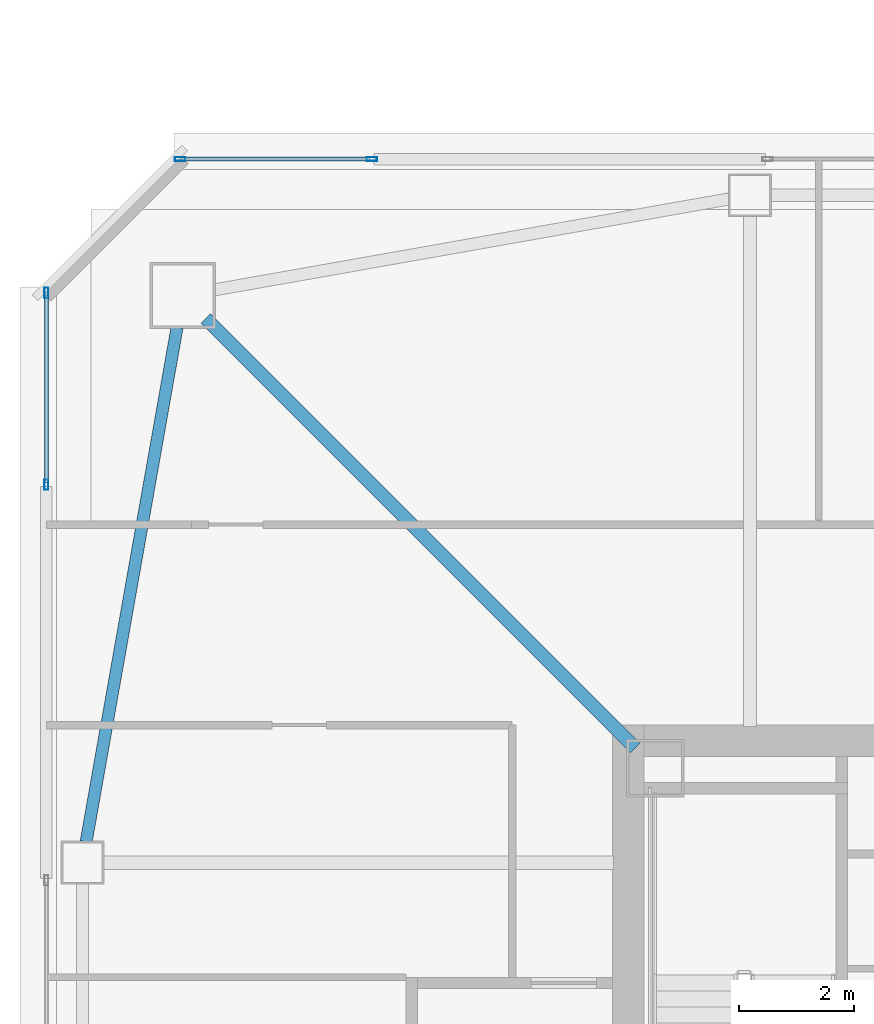
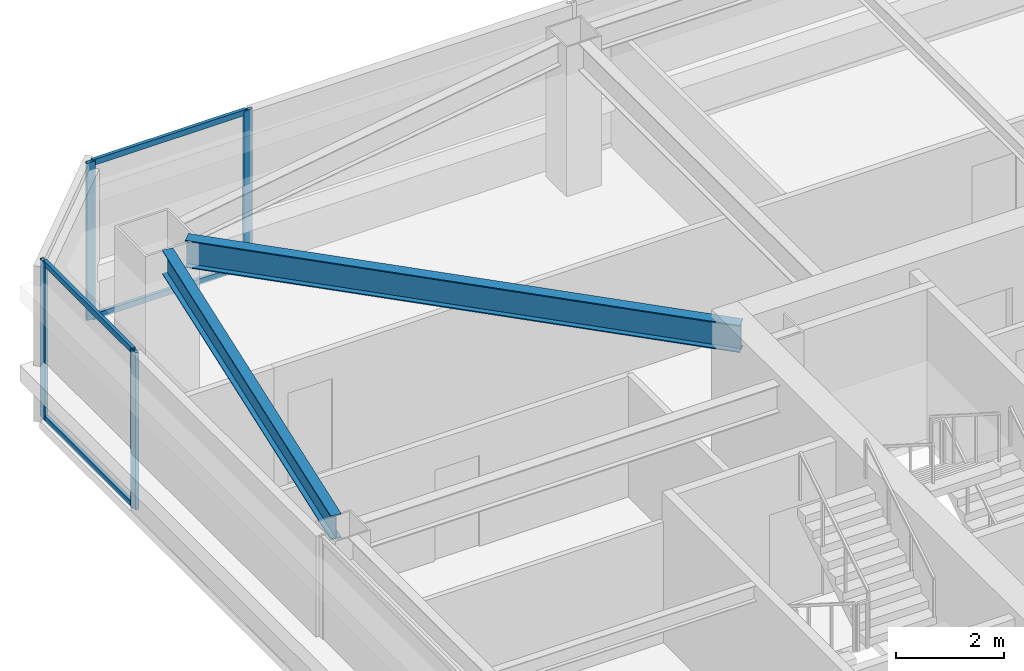
# One storey, part 11 of 41: 8 members, 2 beams, 2 elements without a shape of their own.
"""IFC4 building model written with IfcOpenShell, lengths in metres."""

from ifc_helpers import new_model, si_unit, direction, frame, origin, origin_2d, place, context, subcontext, project, spatial, hollow_rectangle, i_section, extrude, material, material_profile, profile_set, type_object, element, aggregate, save


model = new_model("IFC4")

# Units and contexts
model_context = context("Model", 3, precision=1e-05, world=origin(), true_north=direction((0.0, 1.0)))
body_context = subcontext(model_context, "Body", "Model", "MODEL_VIEW")
ifc_project = project(units=[si_unit("LENGTHUNIT", "METRE"), si_unit("AREAUNIT", "SQUARE_METRE"), si_unit("VOLUMEUNIT", "CUBIC_METRE"), si_unit("PLANEANGLEUNIT", "RADIAN"), si_unit("MASSUNIT", "GRAM", prefix="KILO")], contexts=[model_context])

# Site, building, storey
site_placement = place(None, origin())
site = spatial("IfcSite", under=ifc_project, at=site_placement, CompositionType="ELEMENT")
building_placement = place(site_placement, origin())
building = spatial("IfcBuilding", under=site, at=building_placement, Name="Tashvorn Skyway Center", CompositionType="ELEMENT")
storey_placement = place(building_placement, frame((0.0, 0.0, 171.199951171875)))
storey = spatial("IfcBuildingStorey", under=building, at=storey_placement, Name="L46", CompositionType="ELEMENT", Elevation=171.199951171875)

# Beams
ifc_material_1 = material(Name="Steel ASTM A992 Grade 50", Category="steel")
ifc_material_profile_1 = material_profile(ifc_material_1, i_section(OverallWidth=0.22998046875, OverallDepth=0.616943359375, WebThickness=0.01318359375, FlangeThickness=0.022216796875, at=origin_2d()), Name="W24X94")
ifc_profile_set_1 = profile_set([ifc_material_profile_1], Name="Steel ASTM A992 Grade 50")
beam_type_1 = type_object("IfcBeamType", Name="BM-BEAM-W24X94", PredefinedType="BEAM", material=ifc_profile_set_1)
beam_1_placement = place(storey_placement, frame((27.10302734375, 46.89697265625, 3.0615234375), z_axis=(0.707106781187, -0.707106781187, 0.0), x_axis=(0.707106781187, 0.707106781187, 0.0)))
element("IfcBeam", 1, at=beam_1_placement, inside=storey, type_object=beam_type_1, Name="Tower 1 L46 Primary Floor Girder MC-NW", PredefinedType="BEAM", context=body_context, shape_type="SweptSolid", body=[
    extrude(i_section(OverallWidth=0.22998046875, OverallDepth=0.616943359375, WebThickness=0.01318359375, FlangeThickness=0.022216796875, at=origin_2d()), origin(), (0.0, 0.0, 1.0), 10.6025390625),
])
ifc_material_profile_2 = material_profile(ifc_material_1, i_section(OverallWidth=0.2109375, OverallDepth=0.5390625, WebThickness=0.01171875, FlangeThickness=0.018798828125, at=origin_2d()), Name="W21X73")
ifc_profile_set_2 = profile_set([ifc_material_profile_2], Name="Steel ASTM A992 Grade 50")
beam_type_2 = type_object("IfcBeamType", Name="BM-SPANDREL-W21X73", PredefinedType="SPANDREL", material=ifc_profile_set_2)
beam_2_placement = place(storey_placement, frame((26.600830078125, 46.73876953125, 3.1005859375), z_axis=(-0.174074160933, -0.984732545667, 0.0), x_axis=(0.984732545667, -0.174074160933, 0.0)))
element("IfcBeam", 2, at=beam_2_placement, inside=storey, type_object=beam_type_2, Name="Tower 1 L46 Spandrel Beam 10", PredefinedType="SPANDREL", context=body_context, shape_type="SweptSolid", body=[
    extrude(i_section(OverallWidth=0.2109375, OverallDepth=0.5390625, WebThickness=0.01171875, FlangeThickness=0.018798828125, at=origin_2d()), origin(), (0.0, 0.0, 1.0), 9.113525390625),
])

# Curtain wall, members
ifc_material_2 = material(Name="Thermally broken bronze-anodized aluminium 6063-T6", Category="aluminium")
curtain_wall_type = type_object("IfcCurtainWallType", Name="CW-CW-Z4", PredefinedType="NOTDEFINED", material=ifc_material_2)
curtain_wall_1_placement = place(storey_placement, origin())
curtain_wall_1 = element("IfcCurtainWall", 3, at=curtain_wall_1_placement, inside=storey, type_object=curtain_wall_type, Name="Tower 1 L46 West Unitised Curtain Wall Glazing Group 3", PredefinedType="NOTDEFINED")
ifc_material_profile_3 = material_profile(ifc_material_2, hollow_rectangle(XDim=0.070068359375, YDim=0.179931640625, WallThickness=0.00390625, at=origin_2d()), Name="ALU-MULL-70x180")
ifc_profile_set_3 = profile_set([ifc_material_profile_3], Name="Thermally broken bronze-anodized aluminium 6063-T6")
member_type_1 = type_object("IfcMemberType", Name="CWM-CW-Z4", PredefinedType="MULLION", material=ifc_profile_set_3)
member_1_placement = place(storey_placement, frame((24.320068359375, 43.997314453125, 0.0), z_axis=(0.0, 0.0, 1.0), x_axis=(-1.0, 0.0, 0.0)))
member_1 = element("IfcMember", 4, at=member_1_placement, type_object=member_type_1, Name="CW-Z4 mullion 1", PredefinedType="MULLION", context=body_context, shape_type="SweptSolid", body=[
    extrude(hollow_rectangle(XDim=0.070068359375, YDim=0.179931640625, WallThickness=0.00390625, at=origin_2d()), origin(), (0.0, 0.0, 1.0), 3.550048828125),
])
member_2_placement = place(storey_placement, frame((24.320068359375, 47.344970703125, 0.0), z_axis=(0.0, 0.0, 1.0), x_axis=(-1.0, 0.0, 0.0)))
member_2 = element("IfcMember", 5, at=member_2_placement, type_object=member_type_1, Name="CW-Z4 mullion 2", PredefinedType="MULLION", context=body_context, shape_type="SweptSolid", body=[
    extrude(hollow_rectangle(XDim=0.070068359375, YDim=0.179931640625, WallThickness=0.00390625, at=origin_2d()), origin(), (0.0, 0.0, 1.0), 3.550048828125),
])

curtain_wall_2_placement = place(storey_placement, origin())
curtain_wall_2 = element("IfcCurtainWall", 6, at=curtain_wall_2_placement, inside=storey, type_object=curtain_wall_type, Name="Tower 1 L46 North Unitised Curtain Wall Glazing Group 1", PredefinedType="NOTDEFINED")
member_3_placement = place(storey_placement, frame((26.655029296875, 49.679931640625, 0.0), z_axis=(0.0, 0.0, 1.0), x_axis=(0.0, 1.0, 0.0)))
member_3 = element("IfcMember", 7, at=member_3_placement, type_object=member_type_1, Name="CW-Z4 mullion 1", PredefinedType="MULLION", context=body_context, shape_type="SweptSolid", body=[
    extrude(hollow_rectangle(XDim=0.070068359375, YDim=0.179931640625, WallThickness=0.00390625, at=origin_2d()), origin(), (0.0, 0.0, 1.0), 3.550048828125),
])
member_4_placement = place(storey_placement, frame((30.002685546875, 49.679931640625, 0.0), z_axis=(0.0, 0.0, 1.0), x_axis=(0.0, 1.0, 0.0)))
member_4 = element("IfcMember", 8, at=member_4_placement, type_object=member_type_1, Name="CW-Z4 mullion 2", PredefinedType="MULLION", context=body_context, shape_type="SweptSolid", body=[
    extrude(hollow_rectangle(XDim=0.070068359375, YDim=0.179931640625, WallThickness=0.00390625, at=origin_2d()), origin(), (0.0, 0.0, 1.0), 3.550048828125),
])

# Member
ifc_material_profile_4 = material_profile(ifc_material_2, hollow_rectangle(XDim=0.070068359375, YDim=0.1298828125, WallThickness=0.00390625, at=origin_2d()), Name="ALU-TRAN-70x130")
ifc_profile_set_4 = profile_set([ifc_material_profile_4], Name="Thermally broken bronze-anodized aluminium 6063-T6")
member_type_2 = type_object("IfcMemberType", Name="CWT-CW-Z4", PredefinedType="USERDEFINED", material=ifc_profile_set_4)
member_5_placement = place(storey_placement, frame((24.320068359375, 44.0322265625, 0.03515625), z_axis=(0.0, 1.0, 0.0), x_axis=(-1.0, 0.0, 0.0)))
member_5 = element("IfcMember", 9, at=member_5_placement, type_object=member_type_2, Name="CW-Z4 transom 1.1", ObjectType="TRANSOM", PredefinedType="USERDEFINED", context=body_context, shape_type="SweptSolid", body=[
    extrude(hollow_rectangle(XDim=0.070068359375, YDim=0.1298828125, WallThickness=0.00390625, at=origin_2d()), origin(), (0.0, 0.0, 1.0), 3.27783203125),
])

member_6_placement = place(storey_placement, frame((24.320068359375, 44.0322265625, 3.51513671875), z_axis=(0.0, 1.0, 0.0), x_axis=(-1.0, 0.0, 0.0)))
member_6 = element("IfcMember", 10, at=member_6_placement, type_object=member_type_2, Name="CW-Z4 transom 1.2", ObjectType="TRANSOM", PredefinedType="USERDEFINED", context=body_context, shape_type="SweptSolid", body=[
    extrude(hollow_rectangle(XDim=0.070068359375, YDim=0.1298828125, WallThickness=0.00390625, at=origin_2d()), origin(), (0.0, 0.0, 1.0), 3.27783203125),
])

aggregate(curtain_wall_1, [member_1, member_2, member_5, member_6])

member_7_placement = place(storey_placement, frame((26.68994140625, 49.679931640625, 0.03515625), z_axis=(1.0, 0.0, 0.0), x_axis=(0.0, 1.0, 0.0)))
member_7 = element("IfcMember", 11, at=member_7_placement, type_object=member_type_2, Name="CW-Z4 transom 1.1", ObjectType="TRANSOM", PredefinedType="USERDEFINED", context=body_context, shape_type="SweptSolid", body=[
    extrude(hollow_rectangle(XDim=0.070068359375, YDim=0.1298828125, WallThickness=0.00390625, at=origin_2d()), origin(), (0.0, 0.0, 1.0), 3.27783203125),
])

member_8_placement = place(storey_placement, frame((26.68994140625, 49.679931640625, 3.51513671875), z_axis=(1.0, 0.0, 0.0), x_axis=(0.0, 1.0, 0.0)))
member_8 = element("IfcMember", 12, at=member_8_placement, type_object=member_type_2, Name="CW-Z4 transom 1.2", ObjectType="TRANSOM", PredefinedType="USERDEFINED", context=body_context, shape_type="SweptSolid", body=[
    extrude(hollow_rectangle(XDim=0.070068359375, YDim=0.1298828125, WallThickness=0.00390625, at=origin_2d()), origin(), (0.0, 0.0, 1.0), 3.27783203125),
])

aggregate(curtain_wall_2, [member_3, member_4, member_7, member_8])

save(model, "model.ifc")
